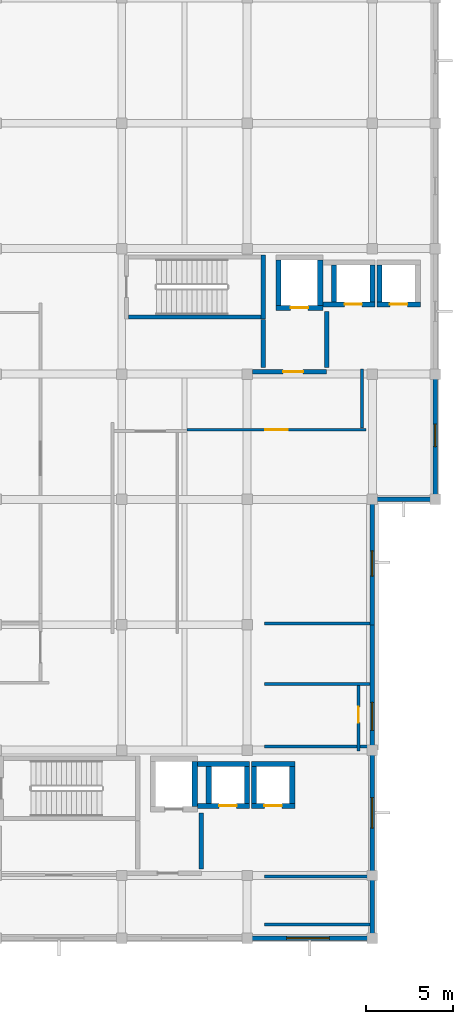
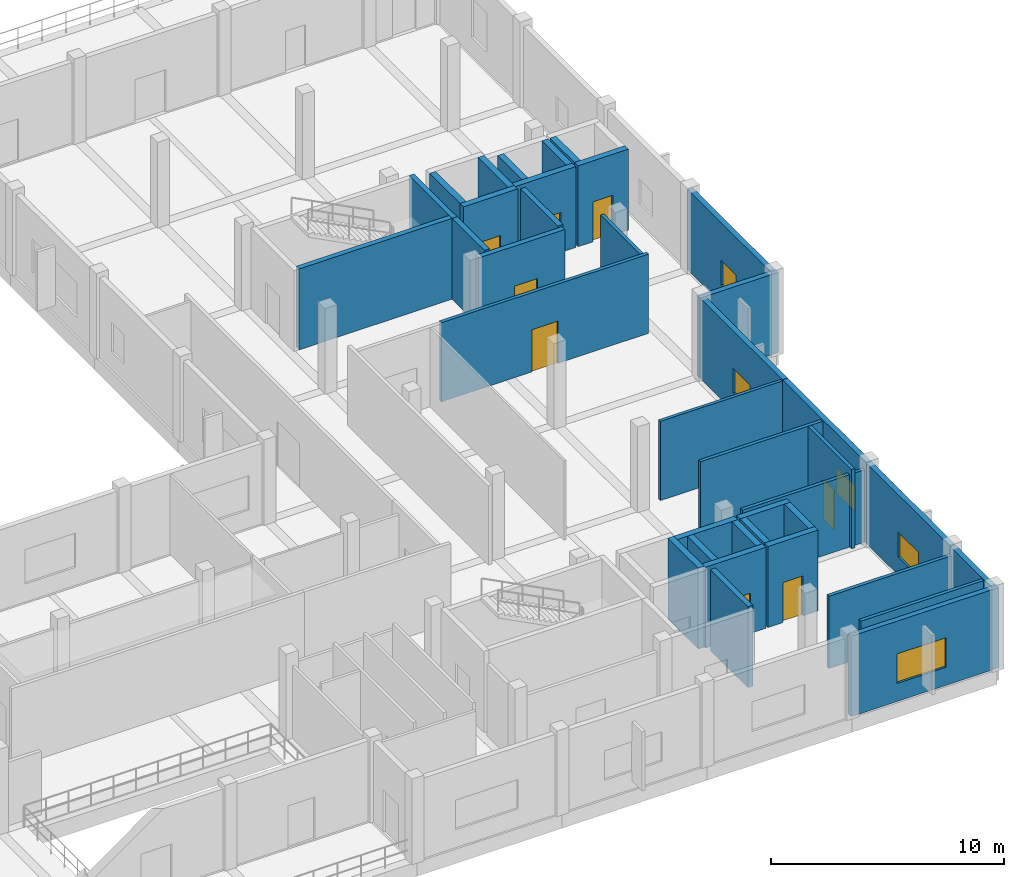
# One storey, part 7 of 14: 38 walls, 8 doors, 5 windows, 13 openings.
"""IFC4 building model written with IfcOpenShell, lengths in metres."""

from ifc_helpers import new_model, si_unit, direction, frame, frame_2d, origin, place, context, subcontext, project, spatial, rectangle, extrude, material, layer, layer_set, type_object, element, fill, save


model = new_model("IFC4")

# Units and contexts
model_context = context("Model", 3, precision=1e-05, world=origin(), true_north=direction((0.0, 1.0)))
body_context = subcontext(model_context, "Body", "Model", "MODEL_VIEW")
ifc_project = project(units=[si_unit("LENGTHUNIT", "METRE"), si_unit("AREAUNIT", "SQUARE_METRE"), si_unit("VOLUMEUNIT", "CUBIC_METRE"), si_unit("PLANEANGLEUNIT", "RADIAN"), si_unit("MASSUNIT", "GRAM", prefix="KILO")], contexts=[model_context])

# Site, building, storey
site_placement = place(None, origin())
site = spatial("IfcSite", under=ifc_project, at=site_placement, CompositionType="ELEMENT")
building_placement = place(site_placement, origin())
building = spatial("IfcBuilding", under=site, at=building_placement, Name="Seraya Terrace Polytechnic", CompositionType="ELEMENT")
storey_placement = place(building_placement, frame((0.0, 0.0, 27.89990234375)))
storey = spatial("IfcBuildingStorey", under=building, at=storey_placement, Name="L06", CompositionType="ELEMENT", Elevation=27.89990234375)

# Wall, opening, window
ifc_material_1 = material(Name="Precast concrete C40/50", Category="concrete")
ifc_layer_1 = layer(ifc_material_1, 0.260009765625, Name="EW-03")
ifc_layer_set_1 = layer_set([ifc_layer_1], Name="Precast concrete C40/50")
wall_type_1 = type_object("IfcWallType", Name="EW-03", PredefinedType="SOLIDWALL", material=ifc_layer_set_1)
wall_1_placement = place(storey_placement, frame((100.949951171875, 3.60009765625, 0.0), z_axis=(0.0, 0.0, 1.0), x_axis=(-1.0, 0.0, 0.0)))
wall_1 = element("IfcWall", 1, at=wall_1_placement, inside=storey, type_object=wall_type_1, Name="Exterior structural wall EW-03 L06", PredefinedType="SOLIDWALL", context=body_context, shape_type="SweptSolid", body=[
    extrude(rectangle(XDim=7.349853515625, YDim=0.260009765625, at=frame_2d((3.6748046875, 0.0))), origin(), (0.0, 0.0, 1.0), 4.22021484375),
])
opening_1_placement = place(wall_1_placement, frame((2.625, 0.0, 0.949951171875)))
opening_1 = element("IfcOpeningElement", 2, at=opening_1_placement, cuts=wall_1, Name="Opening WN-21", PredefinedType="OPENING", context=body_context, shape_type="SweptSolid", body=[
    extrude(rectangle(XDim=2.449951171875, YDim=1.550048828125, at=frame_2d((1.22509765625, 0.77490234375))), frame((0.0, 0.14208984375, 0.0), z_axis=(0.0, -1.0, 0.0), x_axis=(1.0, 0.0, 0.0)), (0.0, 0.0, 1.0), 0.283935546875),
])
ifc_material_2 = material(Name="Laminated solar-control Low-E double glazing", Category="glass")
window_type_1 = type_object("IfcWindowType", Name="WN-21", PartitioningType="SINGLE_PANEL", PredefinedType="WINDOW", material=ifc_material_2)
window_1_placement = place(opening_1_placement, origin())
window_1 = element("IfcWindow", 3, at=window_1_placement, inside=storey, type_object=window_type_1, Name="Exterior window WN-21 L06", OverallHeight=1.550048828125, OverallWidth=2.449951171875, PartitioningType="SINGLE_PANEL", PredefinedType="WINDOW", context=body_context, shape_type="SweptSolid", body=[
    extrude(rectangle(XDim=2.449951171875, YDim=1.550048828125, at=frame_2d((1.22509765625, 0.77490234375))), frame((0.0, 0.030029296875, 0.0), z_axis=(0.0, -1.0, 0.0), x_axis=(1.0, 0.0, 0.0)), (0.0, 0.0, 1.0), 0.06005859375),
])
fill(opening_1, window_1)

wall_2_placement = place(storey_placement, frame((104.39990234375, 36.0, 0.0), z_axis=(0.0, 0.0, 1.0), x_axis=(0.0, -1.0, 0.0)))
wall_2 = element("IfcWall", 4, at=wall_2_placement, inside=storey, type_object=wall_type_1, Name="Exterior structural wall EW-03 L06", PredefinedType="SOLIDWALL", context=body_context, shape_type="SweptSolid", body=[
    extrude(rectangle(XDim=7.048095703125, YDim=0.260009765625, at=frame_2d((3.52392578125, 0.0))), origin(), (0.0, 0.0, 1.0), 4.22021484375),
])
opening_2_placement = place(wall_2_placement, frame((2.8740234375, 0.0, 0.949951171875)))
opening_2 = element("IfcOpeningElement", 5, at=opening_2_placement, cuts=wall_2, Name="Opening WN-03", PredefinedType="OPENING", context=body_context, shape_type="SweptSolid", body=[
    extrude(rectangle(XDim=1.300048828125, YDim=1.300048828125, at=frame_2d((0.64990234375, 0.64990234375))), frame((0.0, 0.14208984375, 0.0), z_axis=(0.0, -1.0, 0.0), x_axis=(1.0, 0.0, 0.0)), (0.0, 0.0, 1.0), 0.283935546875),
])
window_type_2 = type_object("IfcWindowType", Name="WN-03", PartitioningType="SINGLE_PANEL", PredefinedType="WINDOW", material=ifc_material_2)
window_2_placement = place(opening_2_placement, origin())
window_2 = element("IfcWindow", 6, at=window_2_placement, inside=storey, type_object=window_type_2, Name="Exterior window WN-03 L06", OverallHeight=1.300048828125, OverallWidth=1.300048828125, PartitioningType="SINGLE_PANEL", PredefinedType="WINDOW", context=body_context, shape_type="SweptSolid", body=[
    extrude(rectangle(XDim=1.300048828125, YDim=1.300048828125, at=frame_2d((0.64990234375, 0.64990234375))), frame((0.0, 0.030029296875, 0.0), z_axis=(0.0, -1.0, 0.0), x_axis=(1.0, 0.0, 0.0)), (0.0, 0.0, 1.0), 0.06005859375),
])
fill(opening_2, window_2)

# Wall
wall_3_placement = place(storey_placement, frame((104.550048828125, 28.800048828125, 0.0), z_axis=(0.0, 0.0, 1.0), x_axis=(-1.0, 0.0, 0.0)))
element("IfcWall", 7, at=wall_3_placement, inside=storey, type_object=wall_type_1, Name="Exterior structural wall EW-03 L06", PredefinedType="SOLIDWALL", context=body_context, shape_type="SweptSolid", body=[
    extrude(rectangle(XDim=3.900146484375, YDim=0.260009765625, at=frame_2d((1.9501953125, 0.0))), origin(), (0.0, 0.0, 1.0), 4.22021484375),
])

# Wall, opening, window
wall_4_placement = place(storey_placement, frame((100.800048828125, 28.64794921875, 0.0), z_axis=(0.0, 0.0, 1.0), x_axis=(0.0, -1.0, 0.0)))
wall_4 = element("IfcWall", 8, at=wall_4_placement, inside=storey, type_object=wall_type_1, Name="Exterior structural wall EW-03 L06", PredefinedType="SOLIDWALL", context=body_context, shape_type="SweptSolid", body=[
    extrude(rectangle(XDim=7.0478515625, YDim=0.260009765625, at=frame_2d((3.52392578125, 0.0))), origin(), (0.0, 0.0, 1.0), 4.22021484375),
])
opening_3_placement = place(wall_4_placement, frame((2.799072265625, 0.0, 0.949951171875)))
opening_3 = element("IfcOpeningElement", 9, at=opening_3_placement, cuts=wall_4, Name="Opening WN-04", PredefinedType="OPENING", context=body_context, shape_type="SweptSolid", body=[
    extrude(rectangle(XDim=1.449951171875, YDim=1.300048828125, at=frame_2d((0.72509765625, 0.64990234375))), frame((0.0, 0.14208984375, 0.0), z_axis=(0.0, -1.0, 0.0), x_axis=(1.0, 0.0, 0.0)), (0.0, 0.0, 1.0), 0.283935546875),
])
window_type_3 = type_object("IfcWindowType", Name="WN-04", PartitioningType="SINGLE_PANEL", PredefinedType="WINDOW", material=ifc_material_2)
window_3_placement = place(opening_3_placement, origin())
window_3 = element("IfcWindow", 10, at=window_3_placement, inside=storey, type_object=window_type_3, Name="Exterior window WN-04 L06", OverallHeight=1.300048828125, OverallWidth=1.449951171875, PartitioningType="SINGLE_PANEL", PredefinedType="WINDOW", context=body_context, shape_type="SweptSolid", body=[
    extrude(rectangle(XDim=1.449951171875, YDim=1.300048828125, at=frame_2d((0.72509765625, 0.64990234375))), frame((0.0, 0.030029296875, 0.0), z_axis=(0.0, -1.0, 0.0), x_axis=(1.0, 0.0, 0.0)), (0.0, 0.0, 1.0), 0.06005859375),
])
fill(opening_3, window_3)

wall_5_placement = place(storey_placement, frame((100.800048828125, 21.60009765625, 0.0), z_axis=(0.0, 0.0, 1.0), x_axis=(0.0, -1.0, 0.0)))
wall_5 = element("IfcWall", 11, at=wall_5_placement, inside=storey, type_object=wall_type_1, Name="Exterior structural wall EW-03 L06", PredefinedType="SOLIDWALL", context=body_context, shape_type="SweptSolid", body=[
    extrude(rectangle(XDim=7.2001953125, YDim=0.260009765625, at=frame_2d((3.60009765625, 0.0))), origin(), (0.0, 0.0, 1.0), 4.22021484375),
])
opening_4_placement = place(wall_5_placement, frame((4.4599609375, 0.0, 0.949951171875)))
opening_4 = element("IfcOpeningElement", 12, at=opening_4_placement, cuts=wall_5, Name="Opening WN-05", PredefinedType="OPENING", context=body_context, shape_type="SweptSolid", body=[
    extrude(rectangle(XDim=1.60009765625, YDim=1.300048828125, at=frame_2d((0.800048828125, 0.64990234375))), frame((0.0, 0.14208984375, 0.0), z_axis=(0.0, -1.0, 0.0), x_axis=(1.0, 0.0, 0.0)), (0.0, 0.0, 1.0), 0.283935546875),
])
window_type_4 = type_object("IfcWindowType", Name="WN-05", PartitioningType="SINGLE_PANEL", PredefinedType="WINDOW", material=ifc_material_2)
window_4_placement = place(opening_4_placement, origin())
window_4 = element("IfcWindow", 13, at=window_4_placement, inside=storey, type_object=window_type_4, Name="Exterior window WN-05 L06", OverallHeight=1.300048828125, OverallWidth=1.60009765625, PartitioningType="SINGLE_PANEL", PredefinedType="WINDOW", context=body_context, shape_type="SweptSolid", body=[
    extrude(rectangle(XDim=1.60009765625, YDim=1.300048828125, at=frame_2d((0.800048828125, 0.64990234375))), frame((0.0, 0.030029296875, 0.0), z_axis=(0.0, -1.0, 0.0), x_axis=(1.0, 0.0, 0.0)), (0.0, 0.0, 1.0), 0.06005859375),
])
fill(opening_4, window_4)

wall_6_placement = place(storey_placement, frame((100.800048828125, 14.39990234375, 0.0), z_axis=(0.0, 0.0, 1.0), x_axis=(0.0, -1.0, 0.0)))
wall_6 = element("IfcWall", 14, at=wall_6_placement, inside=storey, type_object=wall_type_1, Name="Exterior structural wall EW-03 L06", PredefinedType="SOLIDWALL", context=body_context, shape_type="SweptSolid", body=[
    extrude(rectangle(XDim=7.199951171875, YDim=0.260009765625, at=frame_2d((3.60009765625, 0.0))), origin(), (0.0, 0.0, 1.0), 4.22021484375),
])
opening_5_placement = place(wall_6_placement, frame((2.72509765625, 0.0, 0.949951171875)))
opening_5 = element("IfcOpeningElement", 15, at=opening_5_placement, cuts=wall_6, Name="Opening WN-06", PredefinedType="OPENING", context=body_context, shape_type="SweptSolid", body=[
    extrude(rectangle(XDim=1.75, YDim=1.300048828125, at=frame_2d((0.875, 0.64990234375))), frame((0.0, 0.14208984375, 0.0), z_axis=(0.0, -1.0, 0.0), x_axis=(1.0, 0.0, 0.0)), (0.0, 0.0, 1.0), 0.283935546875),
])
window_type_5 = type_object("IfcWindowType", Name="WN-06", PartitioningType="SINGLE_PANEL", PredefinedType="WINDOW", material=ifc_material_2)
window_5_placement = place(opening_5_placement, origin())
window_5 = element("IfcWindow", 16, at=window_5_placement, inside=storey, type_object=window_type_5, Name="Exterior window WN-06 L06", OverallHeight=1.300048828125, OverallWidth=1.75, PartitioningType="SINGLE_PANEL", PredefinedType="WINDOW", context=body_context, shape_type="SweptSolid", body=[
    extrude(rectangle(XDim=1.75, YDim=1.300048828125, at=frame_2d((0.875, 0.64990234375))), frame((0.0, 0.030029296875, 0.0), z_axis=(0.0, -1.0, 0.0), x_axis=(1.0, 0.0, 0.0)), (0.0, 0.0, 1.0), 0.06005859375),
])
fill(opening_5, window_5)

# Walls
wall_7_placement = place(storey_placement, frame((100.800048828125, 7.199951171875, 0.0), z_axis=(0.0, 0.0, 1.0), x_axis=(0.0, -1.0, 0.0)))
element("IfcWall", 17, at=wall_7_placement, inside=storey, type_object=wall_type_1, Name="Exterior structural wall EW-03 L06", PredefinedType="SOLIDWALL", context=body_context, shape_type="SweptSolid", body=[
    extrude(rectangle(XDim=3.447998046875, YDim=0.260009765625, at=frame_2d((1.72412109375, 0.0))), origin(), (0.0, 0.0, 1.0), 4.22021484375),
])
ifc_material_3 = material(Name="Autoclaved aerated concrete blockwork", Category="masonry")
ifc_layer_2 = layer(ifc_material_3, 0.169921875, Name="PT-02")
ifc_layer_set_2 = layer_set([ifc_layer_2], Name="Autoclaved aerated concrete blockwork")
wall_type_2 = type_object("IfcWallType", Name="PT-02", PredefinedType="PARTITIONING", material=ifc_layer_set_2)
wall_8_placement = place(storey_placement, frame((94.58837890625, 18.199951171875, 0.0), z_axis=(0.0, 0.0, 1.0), x_axis=(1.0, 0.0, 0.0)))
element("IfcWall", 18, at=wall_8_placement, inside=storey, type_object=wall_type_2, Name="Internal partition PT-02 L06", PredefinedType="PARTITIONING", context=body_context, shape_type="SweptSolid", body=[
    extrude(rectangle(XDim=6.069580078125, YDim=0.169921875, at=frame_2d((3.03466796875, 0.0))), origin(), (0.0, 0.0, 1.0), 4.16015625),
])

# Wall, opening, door
wall_9_placement = place(storey_placement, frame((100.0, 14.360107421875, 0.0), z_axis=(0.0, 0.0, 1.0), x_axis=(0.0, 1.0, 0.0)))
wall_9 = element("IfcWall", 19, at=wall_9_placement, inside=storey, type_object=wall_type_2, Name="Internal partition PT-02 L06", PredefinedType="PARTITIONING", context=body_context, shape_type="SweptSolid", body=[
    extrude(rectangle(XDim=3.739990234375, YDim=0.169921875, at=frame_2d((1.8701171875, 0.0))), origin(), (0.0, 0.0, 1.0), 4.16015625),
])
opening_6_placement = place(wall_9_placement, frame((1.6201171875, 0.0, 0.0)))
opening_6 = element("IfcOpeningElement", 20, at=opening_6_placement, cuts=wall_9, Name="Opening ID-02", PredefinedType="OPENING", context=body_context, shape_type="SweptSolid", body=[
    extrude(rectangle(XDim=0.89990234375, YDim=2.080078125, at=frame_2d((0.449951171875, 1.0400390625))), frame((0.0, 0.096923828125, 0.0), z_axis=(0.0, -1.0, 0.0), x_axis=(1.0, 0.0, 0.0)), (0.0, 0.0, 1.0), 0.19384765625),
])
ifc_material_4 = material(Name="Malaysian dark red meranti hardwood timber D40", Category="wood")
door_type_1 = type_object("IfcDoorType", Name="ID-02", OperationType="NOTDEFINED", PredefinedType="DOOR", material=ifc_material_4)
door_1_placement = place(opening_6_placement, origin())
door_1 = element("IfcDoor", 21, at=door_1_placement, inside=storey, type_object=door_type_1, Name="Door ID-02 DR-INT-L06-0270 in WL-INT-L06-0751", OperationType="SINGLE_SWING_LEFT", OverallHeight=2.080078125, OverallWidth=0.89990234375, PredefinedType="DOOR", context=body_context, shape_type="SweptSolid", body=[
    extrude(rectangle(XDim=0.89990234375, YDim=2.080078125, at=frame_2d((0.449951171875, 1.0400390625))), frame((0.0, 0.02490234375, 0.0), z_axis=(0.0, -1.0, 0.0), x_axis=(1.0, 0.0, 0.0)), (0.0, 0.0, 1.0), 0.050048828125),
])
fill(opening_6, door_1)

# Walls
wall_10_placement = place(storey_placement, frame((94.58837890625, 14.60009765625, 0.0), z_axis=(0.0, 0.0, 1.0), x_axis=(1.0, 0.0, 0.0)))
element("IfcWall", 22, at=wall_10_placement, inside=storey, type_object=wall_type_2, Name="Internal partition PT-02 L06", PredefinedType="PARTITIONING", context=body_context, shape_type="SweptSolid", body=[
    extrude(rectangle(XDim=6.069580078125, YDim=0.169921875, at=frame_2d((3.03466796875, 0.0))), origin(), (0.0, 0.0, 1.0), 3.800048828125),
])
wall_11_placement = place(storey_placement, frame((94.58837890625, 4.39990234375, 0.0), z_axis=(0.0, 0.0, 1.0), x_axis=(1.0, 0.0, 0.0)))
element("IfcWall", 23, at=wall_11_placement, inside=storey, type_object=wall_type_2, Name="Internal partition PT-02 L06", PredefinedType="PARTITIONING", context=body_context, shape_type="SweptSolid", body=[
    extrude(rectangle(XDim=6.069580078125, YDim=0.169921875, at=frame_2d((3.03466796875, 0.0))), origin(), (0.0, 0.0, 1.0), 4.16015625),
])
wall_12_placement = place(storey_placement, frame((94.58837890625, 7.14990234375, 0.0), z_axis=(0.0, 0.0, 1.0), x_axis=(1.0, 0.0, 0.0)))
element("IfcWall", 24, at=wall_12_placement, inside=storey, type_object=wall_type_2, Name="Internal partition PT-02 L06", PredefinedType="PARTITIONING", context=body_context, shape_type="SweptSolid", body=[
    extrude(rectangle(XDim=6.069580078125, YDim=0.169921875, at=frame_2d((3.03466796875, 0.0))), origin(), (0.0, 0.0, 1.0), 3.800048828125),
])

# Wall, opening, door
wall_13_placement = place(storey_placement, frame((90.14990234375, 32.800048828125, 0.0), z_axis=(0.0, 0.0, 1.0), x_axis=(1.0, 0.0, 0.0)))
wall_13 = element("IfcWall", 25, at=wall_13_placement, inside=storey, type_object=wall_type_2, Name="Internal partition PT-02 L06", PredefinedType="PARTITIONING", context=body_context, shape_type="SweptSolid", body=[
    extrude(rectangle(XDim=10.2900390625, YDim=0.169921875, at=frame_2d((5.14501953125, 0.0))), origin(), (0.0, 0.0, 1.0), 4.16015625),
])
opening_7_placement = place(wall_13_placement, frame((4.5048828125, 0.0, 0.0)))
opening_7 = element("IfcOpeningElement", 26, at=opening_7_placement, cuts=wall_13, Name="Opening ID-08", PredefinedType="OPENING", context=body_context, shape_type="SweptSolid", body=[
    extrude(rectangle(XDim=1.280029296875, YDim=2.219970703125, at=frame_2d((0.64013671875, 1.10986328125))), frame((0.0, 0.096923828125, 0.0), z_axis=(0.0, -1.0, 0.0), x_axis=(1.0, 0.0, 0.0)), (0.0, 0.0, 1.0), 0.19384765625),
])
door_type_2 = type_object("IfcDoorType", Name="ID-08", OperationType="NOTDEFINED", PredefinedType="DOOR", material=ifc_material_4)
door_2_placement = place(opening_7_placement, frame((1.280029296875, 0.0, 0.0), z_axis=(0.0, 0.0, 1.0), x_axis=(-1.0, 0.0, 0.0)))
door_2 = element("IfcDoor", 27, at=door_2_placement, inside=storey, type_object=door_type_2, Name="Door ID-08 DR-INT-L06-0261 in WL-INT-L06-0761", OperationType="SINGLE_SWING_RIGHT", OverallHeight=2.219970703125, OverallWidth=1.280029296875, PredefinedType="DOOR", context=body_context, shape_type="SweptSolid", body=[
    extrude(rectangle(XDim=1.280029296875, YDim=2.219970703125, at=frame_2d((0.64013671875, 1.10986328125))), frame((0.0, 0.02490234375, 0.0), z_axis=(0.0, -1.0, 0.0), x_axis=(1.0, 0.0, 0.0)), (0.0, 0.0, 1.0), 0.050048828125),
])
fill(opening_7, door_2)

# Walls
wall_14_placement = place(storey_placement, frame((100.199951171875, 32.89990234375, 0.0), z_axis=(0.0, 0.0, 1.0), x_axis=(0.0, 1.0, 0.0)))
element("IfcWall", 28, at=wall_14_placement, inside=storey, type_object=wall_type_2, Name="Internal partition PT-02 L06", PredefinedType="PARTITIONING", context=body_context, shape_type="SweptSolid", body=[
    extrude(rectangle(XDim=3.39013671875, YDim=0.169921875, at=frame_2d((1.695068359375, 0.0))), origin(), (0.0, 0.0, 1.0), 4.16015625),
])
ifc_layer_3 = layer(ifc_material_3, 0.14990234375, Name="PT-03")
ifc_layer_set_3 = layer_set([ifc_layer_3], Name="Autoclaved aerated concrete blockwork")
wall_type_3 = type_object("IfcWallType", Name="PT-03", PredefinedType="PARTITIONING", material=ifc_layer_set_3)
wall_15_placement = place(storey_placement, frame((94.60009765625, 21.67333984375, 0.0), z_axis=(0.0, 0.0, 1.0), x_axis=(1.0, 0.0, 0.0)))
element("IfcWall", 29, at=wall_15_placement, inside=storey, type_object=wall_type_3, Name="Internal partition PT-03 L06", PredefinedType="PARTITIONING", context=body_context, shape_type="SweptSolid", body=[
    extrude(rectangle(XDim=6.057861328125, YDim=0.14990234375, at=frame_2d((3.02880859375, 0.0))), origin(), (0.0, 0.0, 1.0), 4.16015625),
])
ifc_material_5 = material(Name="Concrete C40/50", Category="concrete")
ifc_layer_4 = layer(ifc_material_5, 0.300048828125, Name="SW-01")
ifc_layer_set_4 = layer_set([ifc_layer_4], Name="Concrete C40/50")
wall_type_4 = type_object("IfcWallType", Name="SW-01", PredefinedType="SHEAR", material=ifc_layer_set_4)
wall_16_placement = place(storey_placement, frame((90.60009765625, 11.14990234375, 0.0), z_axis=(0.0, 0.0, 1.0), x_axis=(0.0, 1.0, 0.0)))
element("IfcWall", 30, at=wall_16_placement, inside=storey, type_object=wall_type_4, Name="Lift shaft FL-01 East wall L06", PredefinedType="SHEAR", context=body_context, shape_type="SweptSolid", body=[
    extrude(rectangle(XDim=2.60009765625, YDim=0.300048828125, at=frame_2d((1.300048828125, 0.0))), origin(), (0.0, 0.0, 1.0), 4.25),
])

# Wall, opening, door
wall_17_placement = place(storey_placement, frame((90.75, 11.199951171875, 0.0), z_axis=(0.0, 0.0, 1.0), x_axis=(1.0, 0.0, 0.0)))
wall_17 = element("IfcWall", 31, at=wall_17_placement, inside=storey, type_object=wall_type_4, Name="Lift shaft PL-01 South wall L06", PredefinedType="SHEAR", context=body_context, shape_type="SweptSolid", body=[
    extrude(rectangle(XDim=3.0, YDim=0.300048828125, at=frame_2d((1.5, 0.0))), origin(), (0.0, 0.0, 1.0), 4.25),
])
opening_8_placement = place(wall_17_placement, frame((1.25, 0.0, 0.0)))
opening_8 = element("IfcOpeningElement", 32, at=opening_8_placement, cuts=wall_17, Name="Opening LD-01", PredefinedType="OPENING", context=body_context, shape_type="SweptSolid", body=[
    extrude(rectangle(XDim=1.0, YDim=2.10009765625, at=frame_2d((0.5, 1.050048828125))), frame((0.0, 0.162109375, 0.0), z_axis=(0.0, -1.0, 0.0), x_axis=(1.0, 0.0, 0.0)), (0.0, 0.0, 1.0), 0.323974609375),
])
ifc_material_6 = material(Name="Steel S355J2", Category="steel")
door_type_3 = type_object("IfcDoorType", Name="LD-01", OperationType="SLIDING_TO_LEFT", PredefinedType="DOOR", material=ifc_material_6)
door_3_placement = place(opening_8_placement, frame((1.0, 0.0, 0.0), z_axis=(0.0, 0.0, 1.0), x_axis=(-1.0, 0.0, 0.0)))
door_3 = element("IfcDoor", 33, at=door_3_placement, inside=storey, type_object=door_type_3, Name="Door LD-01 LD-PL-01-L06 in WL-SHF-PL-01-L06-S", OperationType="SLIDING_TO_RIGHT", OverallHeight=2.10009765625, OverallWidth=1.0, PredefinedType="DOOR", context=body_context, shape_type="SweptSolid", body=[
    extrude(rectangle(XDim=1.0, YDim=2.10009765625, at=frame_2d((0.5, 1.050048828125))), frame((0.0, 0.02490234375, 0.0), z_axis=(0.0, -1.0, 0.0), x_axis=(1.0, 0.0, 0.0)), (0.0, 0.0, 1.0), 0.050048828125),
])
fill(opening_8, door_3)

# Walls
wall_18_placement = place(storey_placement, frame((90.75, 13.60009765625, 0.0), z_axis=(0.0, 0.0, 1.0), x_axis=(1.0, 0.0, 0.0)))
element("IfcWall", 34, at=wall_18_placement, inside=storey, type_object=wall_type_4, Name="Lift shaft PL-01 North wall L06", PredefinedType="SHEAR", context=body_context, shape_type="SweptSolid", body=[
    extrude(rectangle(XDim=3.0, YDim=0.300048828125, at=frame_2d((1.5, 0.0))), origin(), (0.0, 0.0, 1.0), 4.25),
])
for number, where, z_axis, x_axis, name in (
    (35, (91.39990234375, 11.35009765625, 0.0), (0.0, 0.0, 1.0), (0.0, 1.0, 0.0), "Lift shaft PL-01 West wall L06"),
    (36, (93.60009765625, 11.35009765625, 0.0), (0.0, 0.0, 1.0), (0.0, 1.0, 0.0), "Lift shaft PL-01 East wall L06"),
):
    element("IfcWall", number, at=place(storey_placement, frame(where, z_axis=z_axis, x_axis=x_axis)), inside=storey, type_object=wall_type_4, Name=name, PredefinedType="SHEAR", context=body_context, shape_type="SweptSolid", body=[
        extrude(rectangle(XDim=2.099853515625, YDim=0.300048828125, at=frame_2d((1.0498046875, 0.0))), origin(), (0.0, 0.0, 1.0), 4.25),
    ])

# Wall, opening, door
wall_19_placement = place(storey_placement, frame((93.85009765625, 11.199951171875, 0.0), z_axis=(0.0, 0.0, 1.0), x_axis=(1.0, 0.0, 0.0)))
wall_19 = element("IfcWall", 37, at=wall_19_placement, inside=storey, type_object=wall_type_4, Name="Lift shaft PL-02 South wall L06", PredefinedType="SHEAR", context=body_context, shape_type="SweptSolid", body=[
    extrude(rectangle(XDim=2.5, YDim=0.300048828125, at=frame_2d((1.25, 0.0))), origin(), (0.0, 0.0, 1.0), 4.25),
])
opening_9_placement = place(wall_19_placement, frame((0.75, 0.0, 0.0)))
opening_9 = element("IfcOpeningElement", 38, at=opening_9_placement, cuts=wall_19, Name="Opening LD-01", PredefinedType="OPENING", context=body_context, shape_type="SweptSolid", body=[
    extrude(rectangle(XDim=1.0, YDim=2.10009765625, at=frame_2d((0.5, 1.050048828125))), frame((0.0, 0.162109375, 0.0), z_axis=(0.0, -1.0, 0.0), x_axis=(1.0, 0.0, 0.0)), (0.0, 0.0, 1.0), 0.323974609375),
])
door_4_placement = place(opening_9_placement, frame((1.0, 0.0, 0.0), z_axis=(0.0, 0.0, 1.0), x_axis=(-1.0, 0.0, 0.0)))
door_4 = element("IfcDoor", 39, at=door_4_placement, inside=storey, type_object=door_type_3, Name="Door LD-01 LD-PL-02-L06 in WL-SHF-PL-02-L06-S", OperationType="SLIDING_TO_LEFT", OverallHeight=2.10009765625, OverallWidth=1.0, PredefinedType="DOOR", context=body_context, shape_type="SweptSolid", body=[
    extrude(rectangle(XDim=1.0, YDim=2.10009765625, at=frame_2d((0.5, 1.050048828125))), frame((0.0, 0.02490234375, 0.0), z_axis=(0.0, -1.0, 0.0), x_axis=(1.0, 0.0, 0.0)), (0.0, 0.0, 1.0), 0.050048828125),
])
fill(opening_9, door_4)

# Walls
wall_20_placement = place(storey_placement, frame((93.85009765625, 13.60009765625, 0.0), z_axis=(0.0, 0.0, 1.0), x_axis=(1.0, 0.0, 0.0)))
element("IfcWall", 40, at=wall_20_placement, inside=storey, type_object=wall_type_4, Name="Lift shaft PL-02 North wall L06", PredefinedType="SHEAR", context=body_context, shape_type="SweptSolid", body=[
    extrude(rectangle(XDim=2.5, YDim=0.300048828125, at=frame_2d((1.25, 0.0))), origin(), (0.0, 0.0, 1.0), 4.25),
])
for number, where, z_axis, x_axis, name in (
    (41, (94.0, 11.35009765625, 0.0), (0.0, 0.0, 1.0), (0.0, 1.0, 0.0), "Lift shaft PL-02 West wall L06"),
    (42, (96.199951171875, 11.35009765625, 0.0), (0.0, 0.0, 1.0), (0.0, 1.0, 0.0), "Lift shaft PL-02 East wall L06"),
):
    element("IfcWall", number, at=place(storey_placement, frame(where, z_axis=z_axis, x_axis=x_axis)), inside=storey, type_object=wall_type_4, Name=name, PredefinedType="SHEAR", context=body_context, shape_type="SweptSolid", body=[
        extrude(rectangle(XDim=2.099853515625, YDim=0.300048828125, at=frame_2d((1.0498046875, 0.0))), origin(), (0.0, 0.0, 1.0), 4.25),
    ])

# Wall, opening, door
wall_21_placement = place(storey_placement, frame((95.25, 39.800048828125, 0.0), z_axis=(0.0, 0.0, 1.0), x_axis=(1.0, 0.0, 0.0)))
wall_21 = element("IfcWall", 43, at=wall_21_placement, inside=storey, type_object=wall_type_4, Name="Lift shaft FL-02 South wall L06", PredefinedType="SHEAR", context=body_context, shape_type="SweptSolid", body=[
    extrude(rectangle(XDim=2.699951171875, YDim=0.300048828125, at=frame_2d((1.35009765625, 0.0))), origin(), (0.0, 0.0, 1.0), 4.25),
])
opening_10_placement = place(wall_21_placement, frame((0.85009765625, 0.0, 0.0)))
opening_10 = element("IfcOpeningElement", 44, at=opening_10_placement, cuts=wall_21, Name="Opening LD-01", PredefinedType="OPENING", context=body_context, shape_type="SweptSolid", body=[
    extrude(rectangle(XDim=1.0, YDim=2.10009765625, at=frame_2d((0.5, 1.050048828125))), frame((0.0, 0.162109375, 0.0), z_axis=(0.0, -1.0, 0.0), x_axis=(1.0, 0.0, 0.0)), (0.0, 0.0, 1.0), 0.323974609375),
])
door_5_placement = place(opening_10_placement, frame((1.0, 0.0, 0.0), z_axis=(0.0, 0.0, 1.0), x_axis=(-1.0, 0.0, 0.0)))
door_5 = element("IfcDoor", 45, at=door_5_placement, inside=storey, type_object=door_type_3, Name="Door LD-01 LD-FL-02-L06 in WL-SHF-FL-02-L06-S", OperationType="SLIDING_TO_RIGHT", OverallHeight=2.10009765625, OverallWidth=1.0, PredefinedType="DOOR", context=body_context, shape_type="SweptSolid", body=[
    extrude(rectangle(XDim=1.0, YDim=2.10009765625, at=frame_2d((0.5, 1.050048828125))), frame((0.0, 0.02490234375, 0.0), z_axis=(0.0, -1.0, 0.0), x_axis=(1.0, 0.0, 0.0)), (0.0, 0.0, 1.0), 0.050048828125),
])
fill(opening_10, door_5)

# Walls
for number, where, z_axis, x_axis, name in (
    (46, (95.39990234375, 39.949951171875, 0.0), (0.0, 0.0, 1.0), (0.0, 1.0, 0.0), "Lift shaft FL-02 West wall L06"),
    (47, (97.800048828125, 39.949951171875, 0.0), (0.0, 0.0, 1.0), (0.0, 1.0, 0.0), "Lift shaft FL-02 East wall L06"),
):
    element("IfcWall", number, at=place(storey_placement, frame(where, z_axis=z_axis, x_axis=x_axis)), inside=storey, type_object=wall_type_4, Name=name, PredefinedType="SHEAR", context=body_context, shape_type="SweptSolid", body=[
        extrude(rectangle(XDim=2.60009765625, YDim=0.300048828125, at=frame_2d((1.300048828125, 0.0))), origin(), (0.0, 0.0, 1.0), 4.25),
    ])

# Wall, opening, door
wall_22_placement = place(storey_placement, frame((97.949951171875, 40.0, 0.0), z_axis=(0.0, 0.0, 1.0), x_axis=(1.0, 0.0, 0.0)))
wall_22 = element("IfcWall", 48, at=wall_22_placement, inside=storey, type_object=wall_type_4, Name="Lift shaft PL-03 South wall L06", PredefinedType="SHEAR", context=body_context, shape_type="SweptSolid", body=[
    extrude(rectangle(XDim=3.0, YDim=0.300048828125, at=frame_2d((1.5, 0.0))), origin(), (0.0, 0.0, 1.0), 4.25),
])
opening_11_placement = place(wall_22_placement, frame((1.25, 0.0, 0.0)))
opening_11 = element("IfcOpeningElement", 49, at=opening_11_placement, cuts=wall_22, Name="Opening LD-01", PredefinedType="OPENING", context=body_context, shape_type="SweptSolid", body=[
    extrude(rectangle(XDim=1.0, YDim=2.10009765625, at=frame_2d((0.5, 1.050048828125))), frame((0.0, 0.162109375, 0.0), z_axis=(0.0, -1.0, 0.0), x_axis=(1.0, 0.0, 0.0)), (0.0, 0.0, 1.0), 0.323974609375),
])
door_6_placement = place(opening_11_placement, frame((1.0, 0.0, 0.0), z_axis=(0.0, 0.0, 1.0), x_axis=(-1.0, 0.0, 0.0)))
door_6 = element("IfcDoor", 50, at=door_6_placement, inside=storey, type_object=door_type_3, Name="Door LD-01 LD-PL-03-L06 in WL-SHF-PL-03-L06-S", OperationType="SLIDING_TO_LEFT", OverallHeight=2.10009765625, OverallWidth=1.0, PredefinedType="DOOR", context=body_context, shape_type="SweptSolid", body=[
    extrude(rectangle(XDim=1.0, YDim=2.10009765625, at=frame_2d((0.5, 1.050048828125))), frame((0.0, 0.02490234375, 0.0), z_axis=(0.0, -1.0, 0.0), x_axis=(1.0, 0.0, 0.0)), (0.0, 0.0, 1.0), 0.050048828125),
])
fill(opening_11, door_6)

# Walls
for number, where, z_axis, x_axis, name in (
    (51, (98.60009765625, 40.14990234375, 0.0), (0.0, 0.0, 1.0), (0.0, 1.0, 0.0), "Lift shaft PL-03 West wall L06"),
    (52, (100.800048828125, 40.14990234375, 0.0), (0.0, 0.0, 1.0), (0.0, 1.0, 0.0), "Lift shaft PL-03 East wall L06"),
):
    element("IfcWall", number, at=place(storey_placement, frame(where, z_axis=z_axis, x_axis=x_axis)), inside=storey, type_object=wall_type_4, Name=name, PredefinedType="SHEAR", context=body_context, shape_type="SweptSolid", body=[
        extrude(rectangle(XDim=2.10009765625, YDim=0.300048828125, at=frame_2d((1.050048828125, 0.0))), origin(), (0.0, 0.0, 1.0), 4.25),
    ])

# Wall, opening, door
wall_23_placement = place(storey_placement, frame((101.050048828125, 40.0, 0.0), z_axis=(0.0, 0.0, 1.0), x_axis=(1.0, 0.0, 0.0)))
wall_23 = element("IfcWall", 53, at=wall_23_placement, inside=storey, type_object=wall_type_4, Name="Lift shaft PL-04 South wall L06", PredefinedType="SHEAR", context=body_context, shape_type="SweptSolid", body=[
    extrude(rectangle(XDim=2.5, YDim=0.300048828125, at=frame_2d((1.25, 0.0))), origin(), (0.0, 0.0, 1.0), 4.25),
])
opening_12_placement = place(wall_23_placement, frame((0.75, 0.0, 0.0)))
opening_12 = element("IfcOpeningElement", 54, at=opening_12_placement, cuts=wall_23, Name="Opening LD-01", PredefinedType="OPENING", context=body_context, shape_type="SweptSolid", body=[
    extrude(rectangle(XDim=1.0, YDim=2.10009765625, at=frame_2d((0.5, 1.050048828125))), frame((0.0, 0.162109375, 0.0), z_axis=(0.0, -1.0, 0.0), x_axis=(1.0, 0.0, 0.0)), (0.0, 0.0, 1.0), 0.323974609375),
])
door_7_placement = place(opening_12_placement, frame((1.0, 0.0, 0.0), z_axis=(0.0, 0.0, 1.0), x_axis=(-1.0, 0.0, 0.0)))
door_7 = element("IfcDoor", 55, at=door_7_placement, inside=storey, type_object=door_type_3, Name="Door LD-01 LD-PL-04-L06 in WL-SHF-PL-04-L06-S", OperationType="SLIDING_TO_RIGHT", OverallHeight=2.10009765625, OverallWidth=1.0, PredefinedType="DOOR", context=body_context, shape_type="SweptSolid", body=[
    extrude(rectangle(XDim=1.0, YDim=2.10009765625, at=frame_2d((0.5, 1.050048828125))), frame((0.0, 0.02490234375, 0.0), z_axis=(0.0, -1.0, 0.0), x_axis=(1.0, 0.0, 0.0)), (0.0, 0.0, 1.0), 0.050048828125),
])
fill(opening_12, door_7)

# Walls
wall_24_placement = place(storey_placement, frame((101.199951171875, 40.14990234375, 0.0), z_axis=(0.0, 0.0, 1.0), x_axis=(0.0, 1.0, 0.0)))
element("IfcWall", 56, at=wall_24_placement, inside=storey, type_object=wall_type_4, Name="Lift shaft PL-04 West wall L06", PredefinedType="SHEAR", context=body_context, shape_type="SweptSolid", body=[
    extrude(rectangle(XDim=2.10009765625, YDim=0.300048828125, at=frame_2d((1.050048828125, 0.0))), origin(), (0.0, 0.0, 1.0), 4.25),
])
ifc_layer_5 = layer(ifc_material_5, 0.25, Name="SW-02")
ifc_layer_set_5 = layer_set([ifc_layer_5], Name="Concrete C40/50")
wall_type_5 = type_object("IfcWallType", Name="SW-02", PredefinedType="SHEAR", material=ifc_layer_set_5)
wall_25_placement = place(storey_placement, frame((94.52490234375, 39.14990234375, 0.0), z_axis=(0.0, 0.0, 1.0), x_axis=(0.0, 1.0, 0.0)))
element("IfcWall", 57, at=wall_25_placement, inside=storey, type_object=wall_type_5, Name="Stairwell ST-02 East wall L06", PredefinedType="SHEAR", context=body_context, shape_type="SweptSolid", body=[
    extrude(rectangle(XDim=3.7001953125, YDim=0.25, at=frame_2d((1.85009765625, 0.0))), origin(), (0.0, 0.0, 1.0), 4.25),
])
wall_26_placement = place(storey_placement, frame((86.800048828125, 39.27490234375, 0.0), z_axis=(0.0, 0.0, 1.0), x_axis=(1.0, 0.0, 0.0)))
element("IfcWall", 58, at=wall_26_placement, inside=storey, type_object=wall_type_5, Name="Stairwell ST-02 South wall L06", PredefinedType="SHEAR", context=body_context, shape_type="SweptSolid", body=[
    extrude(rectangle(XDim=7.599853515625, YDim=0.25, at=frame_2d((3.7998046875, 0.0))), origin(), (0.0, 0.0, 1.0), 4.25),
])
wall_27_placement = place(storey_placement, frame((90.97509765625, 7.574951171875, 0.0), z_axis=(0.0, 0.0, 1.0), x_axis=(0.0, 1.0, 0.0)))
element("IfcWall", 59, at=wall_27_placement, inside=storey, type_object=wall_type_5, Name="Firefighting lobby A East wall L06", PredefinedType="SHEAR", context=body_context, shape_type="SweptSolid", body=[
    extrude(rectangle(XDim=3.22509765625, YDim=0.25, at=frame_2d((1.612548828125, 0.0))), origin(), (0.0, 0.0, 1.0), 4.25),
])

# Wall, opening, door
wall_28_placement = place(storey_placement, frame((93.89990234375, 36.125, 0.0), z_axis=(0.0, 0.0, 1.0), x_axis=(1.0, 0.0, 0.0)))
wall_28 = element("IfcWall", 60, at=wall_28_placement, inside=storey, type_object=wall_type_5, Name="Firefighting lobby B South wall L06", PredefinedType="SHEAR", context=body_context, shape_type="SweptSolid", body=[
    extrude(rectangle(XDim=4.275146484375, YDim=0.25, at=frame_2d((2.1376953125, 0.0))), origin(), (0.0, 0.0, 1.0), 4.25),
])
opening_13_placement = place(wall_28_placement, frame((1.77490234375, 0.0, 0.0)))
opening_13 = element("IfcOpeningElement", 61, at=opening_13_placement, cuts=wall_28, Name="Opening FD-02", PredefinedType="OPENING", context=body_context, shape_type="SweptSolid", body=[
    extrude(rectangle(XDim=1.14990234375, YDim=2.14990234375, at=frame_2d((0.574951171875, 1.074951171875))), frame((0.0, 0.136962890625, 0.0), z_axis=(0.0, -1.0, 0.0), x_axis=(1.0, 0.0, 0.0)), (0.0, 0.0, 1.0), 0.27392578125),
])
door_type_4 = type_object("IfcDoorType", Name="FD-02", OperationType="NOTDEFINED", PredefinedType="DOOR", material=ifc_material_6)
door_8_placement = place(opening_13_placement, frame((1.14990234375, 0.0, 0.0), z_axis=(0.0, 0.0, 1.0), x_axis=(-1.0, 0.0, 0.0)))
door_8 = element("IfcDoor", 62, at=door_8_placement, inside=storey, type_object=door_type_4, Name="Door FD-02 DR-FFL-CORE-B-L06 in WL-FFL-CORE-B-L06-S", OperationType="SINGLE_SWING_RIGHT", OverallHeight=2.14990234375, OverallWidth=1.14990234375, PredefinedType="DOOR", context=body_context, shape_type="SweptSolid", body=[
    extrude(rectangle(XDim=1.14990234375, YDim=2.14990234375, at=frame_2d((0.574951171875, 1.074951171875))), frame((0.0, 0.02490234375, 0.0), z_axis=(0.0, -1.0, 0.0), x_axis=(1.0, 0.0, 0.0)), (0.0, 0.0, 1.0), 0.050048828125),
])
fill(opening_13, door_8)

# Walls
wall_29_placement = place(storey_placement, frame((94.52490234375, 36.375, 0.0), z_axis=(0.0, 0.0, 1.0), x_axis=(0.0, 1.0, 0.0)))
element("IfcWall", 63, at=wall_29_placement, inside=storey, type_object=wall_type_5, Name="Firefighting lobby B West wall L06", PredefinedType="SHEAR", context=body_context, shape_type="SweptSolid", body=[
    extrude(rectangle(XDim=2.77001953125, YDim=0.25, at=frame_2d((1.385009765625, 0.0))), origin(), (0.0, 0.0, 1.0), 4.25),
])
wall_30_placement = place(storey_placement, frame((98.175048828125, 36.375, 0.0), z_axis=(0.0, 0.0, 1.0), x_axis=(0.0, 1.0, 0.0)))
element("IfcWall", 64, at=wall_30_placement, inside=storey, type_object=wall_type_5, Name="Firefighting lobby B East wall L06", PredefinedType="SHEAR", context=body_context, shape_type="SweptSolid", body=[
    extrude(rectangle(XDim=3.22509765625, YDim=0.25, at=frame_2d((1.612548828125, 0.0))), origin(), (0.0, 0.0, 1.0), 4.25),
])

save(model, "model.ifc")
